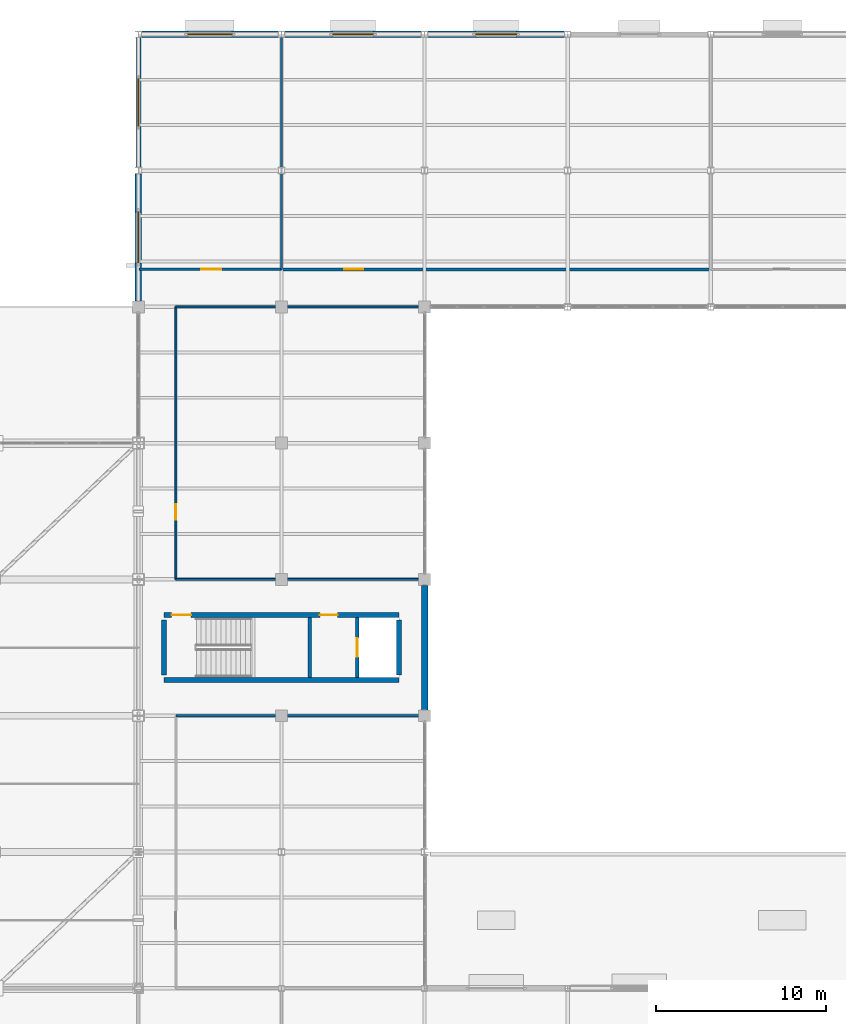
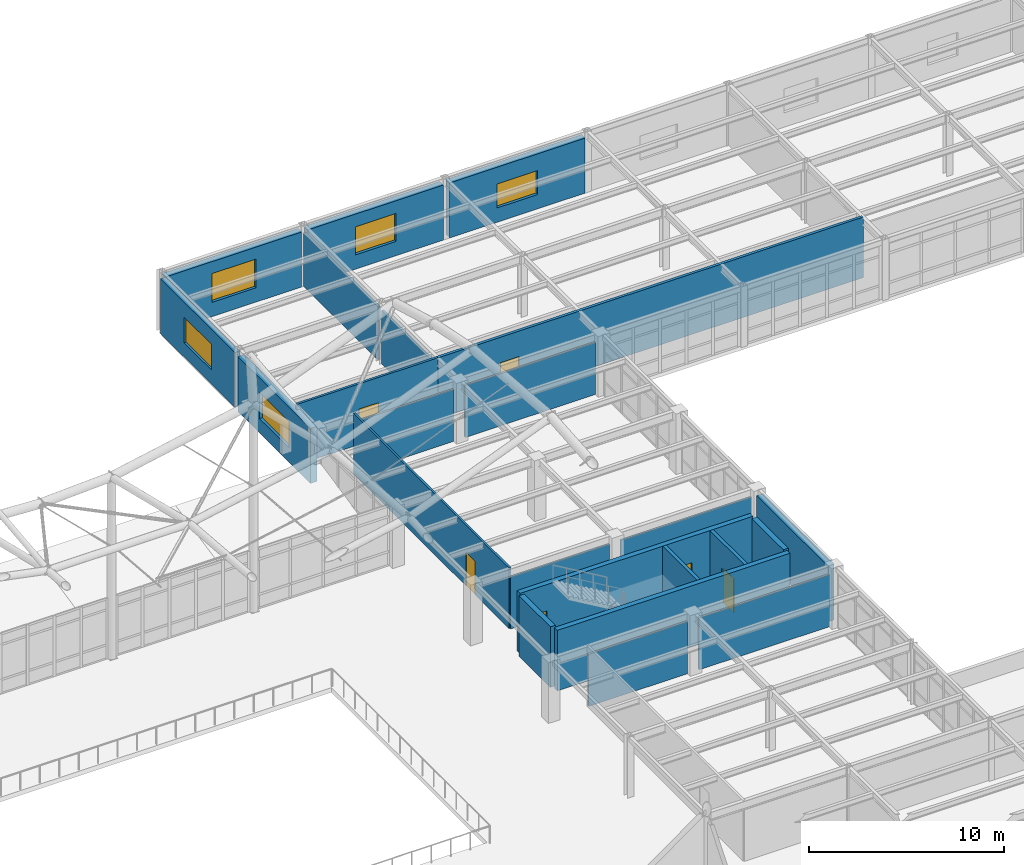
# One storey, part 76 of 138: 23 walls, 6 doors, 5 windows, 11 openings.
"""IFC4 building model written with IfcOpenShell, lengths in metres."""

import ifcopenshell
import ifcopenshell.guid

model = None  # the IFC model being written
_history = None  # IfcOwnerHistory: only IFC2X3 demands one
_inside = {}  # id of a spatial element -> (the spatial element, [elements in it])
_under = {}  # id of a project, library or spatial element -> (it, [spatial elements below it])
_declared = {}  # id of a project -> (the project, [libraries it declares])
_typed = {}  # id of a type object -> (the type object, [elements of that type])
_made_of = {}  # id of a material, layer set ... -> (it, [elements and type objects made of it])


def new_model(schema):
    """Start an empty IFC model of exactly this schema.

    Asked for "IFC4X3", IfcOpenShell would pick the latest addendum, in which some entities
    have other attributes; the version numbers below select the first issue.
    IFC2X3 requires an IfcOwnerHistory on every rooted entity: one is made here for all.
    """
    global model, _history
    if schema == "IFC4X3":
        model = ifcopenshell.file(schema_version=(4, 3, 0, 0))
    else:
        model = ifcopenshell.file(schema=schema)
    _inside.clear()
    _under.clear()
    _declared.clear()
    _typed.clear()
    _made_of.clear()
    _history = None
    if model.schema == "IFC2X3":
        org = make("IfcOrganization", Name="unknown")
        user = make(
            "IfcPersonAndOrganization",
            ThePerson=make("IfcPerson", FamilyName="unknown"),
            TheOrganization=org,
        )
        app = make(
            "IfcApplication",
            ApplicationDeveloper=org,
            Version="unknown",
            ApplicationFullName="unknown",
            ApplicationIdentifier="unknown",
        )
        _history = make(
            "IfcOwnerHistory",
            OwningUser=user,
            OwningApplication=app,
            ChangeAction="ADDED",
            CreationDate=0,
        )
    return model


def make(cls, **values):
    """One entity of the class cls with the attributes given. An attribute that is None is left unset."""
    return model.create_entity(
        cls, **{name: value for name, value in values.items() if value is not None}
    )


def rooted(cls, **values):
    """An entity with a GlobalId (a new one), such as an element, a storey or a relation."""
    return make(cls, GlobalId=ifcopenshell.guid.new(), OwnerHistory=_history, **values)


def si_unit(unit_type, name, prefix=None):
    """IfcSIUnit, for example si_unit("LENGTHUNIT", "METRE", prefix="MILLI")."""
    return make("IfcSIUnit", UnitType=unit_type, Prefix=prefix, Name=name)


def assignment(units):
    """IfcUnitAssignment: the units of a project."""
    return None if units is None else make("IfcUnitAssignment", Units=units)


def point(xyz):
    """IfcCartesianPoint."""
    return None if xyz is None else make("IfcCartesianPoint", Coordinates=xyz)


def direction(xyz):
    """IfcDirection."""
    return None if xyz is None else make("IfcDirection", DirectionRatios=xyz)


def frame(location, z_axis=None, x_axis=None):
    """IfcAxis2Placement3D, a coordinate frame: its origin and axes. An axis left out is left unset."""
    return make(
        "IfcAxis2Placement3D",
        Location=point(location),
        Axis=direction(z_axis),
        RefDirection=direction(x_axis),
    )


def frame_2d(location, x_axis=None):
    """IfcAxis2Placement2D, a coordinate frame in the plane: its origin and x axis."""
    return make(
        "IfcAxis2Placement2D", Location=point(location), RefDirection=direction(x_axis)
    )


def origin():
    """The frame at (0, 0, 0) with its axes left unset."""
    return frame((0.0, 0.0, 0.0))


def place(relative_to, where):
    """IfcLocalPlacement: puts the frame where relative to a parent placement (None: the world)."""
    return make(
        "IfcLocalPlacement", PlacementRelTo=relative_to, RelativePlacement=where
    )


def context(
    kind, dimensions, precision=None, world=None, true_north=None, identifier=None
):
    """IfcGeometricRepresentationContext, for example the 3D "Model" context."""
    return make(
        "IfcGeometricRepresentationContext",
        ContextIdentifier=identifier,
        ContextType=kind,
        CoordinateSpaceDimension=dimensions,
        Precision=precision,
        WorldCoordinateSystem=world,
        TrueNorth=true_north,
    )


def subcontext(parent, identifier, kind, view, scale=None):
    """IfcGeometricRepresentationSubContext, for example "Body" below "Model"."""
    return make(
        "IfcGeometricRepresentationSubContext",
        ContextIdentifier=identifier,
        ContextType=kind,
        ParentContext=parent,
        TargetScale=scale,
        TargetView=view,
    )


def project(units=None, contexts=None):
    """IfcProject with its units and contexts."""
    return rooted(
        "IfcProject",
        Name="project",
        RepresentationContexts=contexts,
        UnitsInContext=assignment(units),
    )


def spatial(cls, under=None, at=None, **own):
    """A site, building, storey or space (cls), placed at a placement, below another one or the project."""
    s = rooted(cls, ObjectPlacement=at, **own)
    if under is not None:
        _under.setdefault(under.id(), (under, []))[1].append(s)
    return s


def profile(cls, at=None, kind="AREA", **sizes):
    """A parametric profile (cls). Its sizes go by their IFC names, for example OverallWidth=200.0."""
    return make(cls, ProfileType=kind, Position=at, **sizes)


def rectangle(**sizes):
    """IfcRectangleProfileDef."""
    return profile("IfcRectangleProfileDef", **sizes)


def extrude(swept, where, along, depth):
    """IfcExtrudedAreaSolid: the profile swept, set in the frame where, extruded along a direction by depth."""
    return make(
        "IfcExtrudedAreaSolid",
        SweptArea=swept,
        Position=where,
        ExtrudedDirection=direction(along),
        Depth=depth,
    )


def shape(context_of_items, identifier, shape_type, items):
    """IfcShapeRepresentation: the items that make up one representation, for example the "Body"."""
    return make(
        "IfcShapeRepresentation",
        ContextOfItems=context_of_items,
        RepresentationIdentifier=identifier,
        RepresentationType=shape_type,
        Items=items,
    )


def material(Name=None, Category=None):
    """IfcMaterial."""
    return make("IfcMaterial", Name=Name, Category=Category)


def layer(
    of_material, thickness, ventilated=None, Name=None, Category=None, Priority=None
):
    """IfcMaterialLayer: one layer of a wall or slab, of a material (None: an air gap)."""
    return make(
        "IfcMaterialLayer",
        Material=of_material,
        LayerThickness=thickness,
        IsVentilated=ventilated,
        Name=Name,
        Category=Category,
        Priority=Priority,
    )


def layer_set(layers, Name=None):
    """IfcMaterialLayerSet."""
    return make("IfcMaterialLayerSet", MaterialLayers=layers, LayerSetName=Name)


def made_of(thing, what):
    """Note that an element or type object is made of a material, layer set ...; save() writes the relation."""
    if what is not None:
        _made_of.setdefault(what.id(), (what, []))[1].append(thing)
    return thing


def type_object(cls, material=None, **own):
    """A type object (cls), such as IfcWallType, which elements share."""
    return made_of(rooted(cls, **own), material)


def element(
    cls,
    number,
    at=None,
    inside=None,
    cuts=None,
    type_object=None,
    material=None,
    context=None,
    identifier="Body",
    shape_type=None,
    held_by="IfcProductDefinitionShape",
    body=None,
    shapes=None,
    **own,
):
    """One element of the class cls, such as IfcWall. Its Tag is "e" and its number.

    at: its placement. inside: the storey or other place that contains it. cuts: it is an
    opening in that element (IfcRelVoidsElement). A single representation is given by context,
    identifier, shape_type and body (its items); several are given by shapes. held_by: the class
    of the entity that holds the representations. save() writes the other relations.
    """
    e = rooted(cls, Tag="e%d" % number, ObjectPlacement=at, **own)
    if body is not None:
        shapes = [shape(context, identifier, shape_type, body)]
    if shapes is not None:
        e.Representation = make(held_by, Representations=shapes)
    if inside is not None:
        _inside.setdefault(inside.id(), (inside, []))[1].append(e)
    if cuts is not None:
        rooted(
            "IfcRelVoidsElement", RelatingBuildingElement=cuts, RelatedOpeningElement=e
        )
    if type_object is not None:
        _typed.setdefault(type_object.id(), (type_object, []))[1].append(e)
    return made_of(e, material)


def fill(opening, filler):
    """IfcRelFillsElement: the door or window that sits in an opening."""
    return rooted(
        "IfcRelFillsElement",
        RelatingOpeningElement=opening,
        RelatedBuildingElement=filler,
    )


def aggregate(whole, parts):
    """IfcRelAggregates: a whole, such as a stair, and the parts it consists of."""
    return rooted("IfcRelAggregates", RelatingObject=whole, RelatedObjects=parts)


def save(model, path):
    """Write the relations noted so far, then the file.

    IfcRelAggregates (storeys below a building ...), IfcRelContainedInSpatialStructure (elements
    in a storey), IfcRelDefinesByType, IfcRelAssociatesMaterial and IfcRelDeclares: one each for
    every whole, place, type object, material and project.
    """
    for whole, parts in _under.values():
        aggregate(whole, parts)
    for where, things in _inside.values():
        rooted(
            "IfcRelContainedInSpatialStructure",
            RelatedElements=things,
            RelatingStructure=where,
        )
    for kind, things in _typed.values():
        rooted("IfcRelDefinesByType", RelatedObjects=things, RelatingType=kind)
    for what, things in _made_of.values():
        rooted("IfcRelAssociatesMaterial", RelatedObjects=things, RelatingMaterial=what)
    for by, libraries in _declared.values():
        rooted("IfcRelDeclares", RelatingContext=by, RelatedDefinitions=libraries)
    model.write(path)


model = new_model("IFC4")

# Units and contexts
model_context = context("Model", 3, precision=1e-05, world=origin(), true_north=direction((0.0, 1.0)))
body_context = subcontext(model_context, "Body", "Model", "MODEL_VIEW")
ifc_project = project(units=[si_unit("LENGTHUNIT", "METRE"), si_unit("AREAUNIT", "SQUARE_METRE"), si_unit("VOLUMEUNIT", "CUBIC_METRE"), si_unit("PLANEANGLEUNIT", "RADIAN"), si_unit("MASSUNIT", "GRAM", prefix="KILO")], contexts=[model_context])

# Site, building, storey
site_placement = place(None, origin())
site = spatial("IfcSite", under=ifc_project, at=site_placement, CompositionType="ELEMENT")
building_placement = place(site_placement, origin())
building = spatial("IfcBuilding", under=site, at=building_placement, Name="Kranzveld Transit Interchange", CompositionType="ELEMENT")
storey_placement = place(building_placement, frame((0.0, 0.0, 5.43994140625)))
storey = spatial("IfcBuildingStorey", under=building, at=storey_placement, Name="L01", CompositionType="ELEMENT", Elevation=5.43994140625)

# Wall, opening, door
ifc_material_1 = material(Name="Clay masonry unit wall, 20 MPa", Category="masonry")
ifc_layer_1 = layer(ifc_material_1, 0.1650390625)
ifc_layer_set_1 = layer_set([ifc_layer_1], Name="Clay masonry unit wall, 20 MPa")
wall_type_1 = type_object("IfcWallType", Name="Acoustic Double-Stud Partition 165", PredefinedType="PARTITIONING", material=ifc_layer_set_1)
wall_1_placement = place(storey_placement, frame((109.199951171875, 98.199951171875, 0.0), z_axis=(0.0, 0.0, 1.0), x_axis=(1.0, 0.0, 0.0)))
wall_1 = element("IfcWall", 1, at=wall_1_placement, inside=storey, type_object=wall_type_1, Name="L01 Partition IW-L01-L01V4N-FRT-121-0", PredefinedType="PARTITIONING", context=body_context, shape_type="SweptSolid", body=[
    extrude(rectangle(XDim=25.199951171875, YDim=0.1650390625, at=frame_2d((12.60009765625, 0.0))), origin(), (0.0, 0.0, 1.0), 3.800048828125),
])
opening_1_placement = place(wall_1_placement, frame((3.699951171875, 0.0, 0.0), z_axis=(0.0, 0.0, 1.0), x_axis=(1.0, 0.0, 0.0)))
opening_1 = element("IfcOpeningElement", 2, at=opening_1_placement, cuts=wall_1, Name="Opening D-121", PredefinedType="OPENING", context=body_context, shape_type="SweptSolid", body=[
    extrude(rectangle(XDim=1.10009765625, YDim=2.199951171875, at=frame_2d((0.550048828125, 1.10009765625))), frame((0.0, 0.092529296875, 0.0), z_axis=(0.0, -1.0, 0.0), x_axis=(1.0, 0.0, 0.0)), (0.0, 0.0, 1.0), 0.18505859375),
])
ifc_material_2 = material(Name="Bronze-anodised thermally broken aluminium", Category="aluminium")
door_type_1 = type_object("IfcDoorType", Name="Acoustic Seminar Door 1100x2200", OperationType="NOTDEFINED", PredefinedType="DOOR", material=ifc_material_2)
door_1_placement = place(opening_1_placement, origin())
door_1 = element("IfcDoor", 3, at=door_1_placement, inside=storey, type_object=door_type_1, Name="L01 Interior Door D-121", OperationType="SINGLE_SWING_RIGHT", OverallHeight=2.199951171875, OverallWidth=1.10009765625, PredefinedType="DOOR", context=body_context, shape_type="SweptSolid", body=[
    extrude(rectangle(XDim=1.10009765625, YDim=2.199951171875, at=frame_2d((0.550048828125, 1.10009765625))), frame((0.0, 0.02490234375, 0.0), z_axis=(0.0, -1.0, 0.0), x_axis=(1.0, 0.0, 0.0)), (0.0, 0.0, 1.0), 0.050048828125),
])
fill(opening_1, door_1)

ifc_material_3 = material(Name="Clay masonry unit wall, 20 MPa", Category="masonry")
ifc_layer_2 = layer(ifc_material_3, 0.139892578125)
ifc_layer_set_2 = layer_set([ifc_layer_2], Name="Clay masonry unit wall, 20 MPa")
wall_type_2 = type_object("IfcWallType", Name="Acoustic Stud Partition 140", PredefinedType="PARTITIONING", material=ifc_layer_set_2)
wall_2_placement = place(storey_placement, frame((100.840087890625, 98.199951171875, 0.0), z_axis=(0.0, 0.0, 1.0), x_axis=(1.0, 0.0, 0.0)))
wall_2 = element("IfcWall", 4, at=wall_2_placement, inside=storey, type_object=wall_type_2, Name="L01 Partition IW-L01-L01V4N-FRT-120-0", PredefinedType="PARTITIONING", context=body_context, shape_type="SweptSolid", body=[
    extrude(rectangle(XDim=8.35986328125, YDim=0.139892578125, at=frame_2d((4.179931640625, 0.0))), origin(), (0.0, 0.0, 1.0), 3.800048828125),
])
opening_2_placement = place(wall_2_placement, frame((3.659912109375, 0.0, 0.0), z_axis=(0.0, 0.0, 1.0), x_axis=(1.0, 0.0, 0.0)))
opening_2 = element("IfcOpeningElement", 5, at=opening_2_placement, cuts=wall_2, Name="Opening D-120", PredefinedType="OPENING", context=body_context, shape_type="SweptSolid", body=[
    extrude(rectangle(XDim=1.179931640625, YDim=2.219970703125, at=frame_2d((0.58984375, 1.10986328125))), frame((0.0, 0.079833984375, 0.0), z_axis=(0.0, -1.0, 0.0), x_axis=(1.0, 0.0, 0.0)), (0.0, 0.0, 1.0), 0.159912109375),
])
ifc_material_4 = material(Name="Bronze-anodised thermally broken aluminium", Category="aluminium")
door_type_2 = type_object("IfcDoorType", Name="Boardroom Acoustic Door 1180x2220", OperationType="NOTDEFINED", PredefinedType="DOOR", material=ifc_material_4)
door_2_placement = place(opening_2_placement, origin())
door_2 = element("IfcDoor", 6, at=door_2_placement, inside=storey, type_object=door_type_2, Name="L01 Interior Door D-120", OperationType="SINGLE_SWING_LEFT", OverallHeight=2.219970703125, OverallWidth=1.179931640625, PredefinedType="DOOR", context=body_context, shape_type="SweptSolid", body=[
    extrude(rectangle(XDim=1.179931640625, YDim=2.219970703125, at=frame_2d((0.58984375, 1.10986328125))), frame((0.0, 0.02490234375, 0.0), z_axis=(0.0, -1.0, 0.0), x_axis=(1.0, 0.0, 0.0)), (0.0, 0.0, 1.0), 0.050048828125),
])
fill(opening_2, door_2)

# Walls
wall_3_placement = place(storey_placement, frame((109.199951171875, 98.199951171875, 0.0), z_axis=(0.0, 0.0, 1.0), x_axis=(0.0, 1.0, 0.0)))
element("IfcWall", 7, at=wall_3_placement, inside=storey, type_object=wall_type_2, Name="L01 Partition IW-L01-L01V4N-E-120-0", PredefinedType="PARTITIONING", context=body_context, shape_type="SweptSolid", body=[
    extrude(rectangle(XDim=5.622802734375, YDim=0.139892578125, at=frame_2d((2.8115234375, 0.0))), origin(), (0.0, 0.0, 1.0), 3.336669921875),
])
wall_4_placement = place(storey_placement, frame((109.199951171875, 104.17724609375, 0.0), z_axis=(0.0, 0.0, 1.0), x_axis=(0.0, 1.0, 0.0)))
element("IfcWall", 8, at=wall_4_placement, inside=storey, type_object=wall_type_2, Name="L01 Partition IW-L01-L01V4N-E-120-1", PredefinedType="PARTITIONING", context=body_context, shape_type="SweptSolid", body=[
    extrude(rectangle(XDim=7.6455078125, YDim=0.139892578125, at=frame_2d((3.82275390625, 0.0))), origin(), (0.0, 0.0, 1.0), 3.336669921875),
])
ifc_material_5 = material(Name="Concrete C40/50", Category="concrete")
ifc_layer_3 = layer(ifc_material_5, 0.300048828125)
ifc_layer_set_3 = layer_set([ifc_layer_3], Name="Concrete C40/50")
wall_type_3 = type_object("IfcWallType", Name="Core Shear Wall RC 300 C40/50", PredefinedType="SHEAR", material=ifc_layer_set_3)
wall_5_placement = place(storey_placement, frame((102.300048828125, 74.090087890625, 0.0), z_axis=(0.0, 0.0, 1.0), x_axis=(1.0, 0.0, 0.0)))
element("IfcWall", 9, at=wall_5_placement, inside=storey, type_object=wall_type_3, Name="L01 Community Core C3 Shear Wall S", PredefinedType="SHEAR", context=body_context, shape_type="SweptSolid", body=[
    extrude(rectangle(XDim=13.800048828125, YDim=0.300048828125, at=frame_2d((6.89990234375, 0.0))), origin(), (0.0, 0.0, 1.0), 3.800048828125),
])

# Wall, openings, doors
wall_6_placement = place(storey_placement, frame((102.300048828125, 77.909912109375, 0.0), z_axis=(0.0, 0.0, 1.0), x_axis=(1.0, 0.0, 0.0)))
wall_6 = element("IfcWall", 10, at=wall_6_placement, inside=storey, type_object=wall_type_3, Name="L01 Community Core C3 Shear Wall N", PredefinedType="SHEAR", context=body_context, shape_type="SweptSolid", body=[
    extrude(rectangle(XDim=13.800048828125, YDim=0.300048828125, at=frame_2d((6.89990234375, 0.0))), origin(), (0.0, 0.0, 1.0), 3.800048828125),
])
opening_3_placement = place(wall_6_placement, frame((0.449951171875, 0.0, 0.0), z_axis=(0.0, 0.0, 1.0), x_axis=(1.0, 0.0, 0.0)))
opening_3 = element("IfcOpeningElement", 11, at=opening_3_placement, cuts=wall_6, Name="Opening D-ST-C3-L01", PredefinedType="OPENING", context=body_context, shape_type="SweptSolid", body=[
    extrude(rectangle(XDim=1.14990234375, YDim=2.14990234375, at=frame_2d((0.574951171875, 1.074951171875))), frame((0.0, 0.159912109375, 0.0), z_axis=(0.0, -1.0, 0.0), x_axis=(1.0, 0.0, 0.0)), (0.0, 0.0, 1.0), 0.320068359375),
])
opening_4_placement = place(wall_6_placement, frame((9.14990234375, 0.0, 0.0), z_axis=(0.0, 0.0, 1.0), x_axis=(1.0, 0.0, 0.0)))
opening_4 = element("IfcOpeningElement", 12, at=opening_4_placement, cuts=wall_6, Name="Opening D-LB-C3-L01", PredefinedType="OPENING", context=body_context, shape_type="SweptSolid", body=[
    extrude(rectangle(XDim=1.050048828125, YDim=2.14990234375, at=frame_2d((0.52490234375, 1.074951171875))), frame((0.0, 0.159912109375, 0.0), z_axis=(0.0, -1.0, 0.0), x_axis=(1.0, 0.0, 0.0)), (0.0, 0.0, 1.0), 0.320068359375),
])
ifc_material_6 = material(Name="Steel S355JR", Category="steel")
door_type_3 = type_object("IfcDoorType", Name="Lift Lobby Fire Door 1050x2150 FD120S", OperationType="NOTDEFINED", PredefinedType="DOOR", material=ifc_material_6)
door_3_placement = place(opening_4_placement, origin())
door_3 = element("IfcDoor", 13, at=door_3_placement, inside=storey, type_object=door_type_3, Name="L01 Community Core C3 Lift Protected Lobby Door", OperationType="SINGLE_SWING_RIGHT", OverallHeight=2.14990234375, OverallWidth=1.050048828125, PredefinedType="DOOR", context=body_context, shape_type="SweptSolid", body=[
    extrude(rectangle(XDim=1.050048828125, YDim=2.14990234375, at=frame_2d((0.52490234375, 1.074951171875))), frame((0.0, 0.02490234375, 0.0), z_axis=(0.0, -1.0, 0.0), x_axis=(1.0, 0.0, 0.0)), (0.0, 0.0, 1.0), 0.050048828125),
])
fill(opening_4, door_3)
ifc_material_7 = material(Name="Steel S355JR", Category="steel")
door_type_4 = type_object("IfcDoorType", Name="Stair Core Fire Door 1150x2150 FD120S", OperationType="NOTDEFINED", PredefinedType="DOOR", material=ifc_material_7)
door_4_placement = place(opening_3_placement, origin())
door_4 = element("IfcDoor", 14, at=door_4_placement, inside=storey, type_object=door_type_4, Name="L01 ST-V4A Protected Stair Door", OperationType="SINGLE_SWING_RIGHT", OverallHeight=2.14990234375, OverallWidth=1.14990234375, PredefinedType="DOOR", context=body_context, shape_type="SweptSolid", body=[
    extrude(rectangle(XDim=1.14990234375, YDim=2.14990234375, at=frame_2d((0.574951171875, 1.074951171875))), frame((0.0, 0.02490234375, 0.0), z_axis=(0.0, -1.0, 0.0), x_axis=(1.0, 0.0, 0.0)), (0.0, 0.0, 1.0), 0.050048828125),
])
fill(opening_3, door_4)

# Walls
for number, where, z_axis, x_axis, name in (
    (15, (102.300048828125, 74.389892578125, 0.0), (0.0, 0.0, 1.0), (0.0, 1.0, 0.0), "L01 Community Core C3 Shear Wall W"),
    (16, (116.10009765625, 74.389892578125, 0.0), (0.0, 0.0, 1.0), (0.0, 1.0, 0.0), "L01 Community Core C3 Shear Wall E"),
):
    element("IfcWall", number, at=place(storey_placement, frame(where, z_axis=z_axis, x_axis=x_axis)), inside=storey, type_object=wall_type_3, Name=name, PredefinedType="SHEAR", context=body_context, shape_type="SweptSolid", body=[
        extrude(rectangle(XDim=3.22021484375, YDim=0.300048828125, at=frame_2d((1.610107421875, 0.0))), origin(), (0.0, 0.0, 1.0), 3.800048828125),
    ])

# Wall, opening, window
ifc_material_8 = material(Name="Pretoria red-purple clinker clay face brick, 35 MPa", Category="masonry")
ifc_layer_4 = layer(ifc_material_8, 0.3798828125)
ifc_layer_set_4 = layer_set([ifc_layer_4], Name="Pretoria red-purple clinker clay face brick, 35 MPa")
wall_type_4 = type_object("IfcWallType", Name="Exterior Cavity Wall Red Clinker 380", PredefinedType="SOLIDWALL", material=ifc_layer_set_4)
wall_7_placement = place(storey_placement, frame((100.800048828125, 96.35009765625, 0.0), z_axis=(0.0, 0.0, 1.0), x_axis=(0.0, 1.0, 0.0)))
wall_7 = element("IfcWall", 17, at=wall_7_placement, inside=storey, type_object=wall_type_4, Name="L01 Clinker Facade Wall 13/N-13/P", PredefinedType="SOLIDWALL", context=body_context, shape_type="SweptSolid", body=[
    extrude(rectangle(XDim=7.462646484375, YDim=0.3798828125, at=frame_2d((3.7314453125, 0.0))), origin(), (0.0, 0.0, 1.0), 3.442138671875),
])
opening_5_placement = place(wall_7_placement, frame((2.2314453125, 0.0, 0.89990234375), z_axis=(0.0, 0.0, 1.0), x_axis=(1.0, 0.0, 0.0)))
opening_5 = element("IfcOpeningElement", 18, at=opening_5_placement, cuts=wall_7, Name="Opening W-04", PredefinedType="OPENING", context=body_context, shape_type="SweptSolid", body=[
    extrude(rectangle(XDim=3.0, YDim=1.64990234375, at=frame_2d((1.5, 0.824951171875))), frame((0.0, 0.199951171875, 0.0), z_axis=(0.0, -1.0, 0.0), x_axis=(1.0, 0.0, 0.0)), (0.0, 0.0, 1.0), 0.39990234375),
])
ifc_material_9 = material(Name="Solar-control double glazing", Category="glass")
window_type_1 = type_object("IfcWindowType", Name="Window Ribbon Double 3000x1650", PartitioningType="DOUBLE_PANEL_VERTICAL", PredefinedType="WINDOW", material=ifc_material_9)
window_1_placement = place(opening_5_placement, origin())
window_1 = element("IfcWindow", 19, at=window_1_placement, inside=storey, type_object=window_type_1, Name="L01 Facade Window 13/N", OverallHeight=1.64990234375, OverallWidth=3.0, PartitioningType="DOUBLE_PANEL_VERTICAL", PredefinedType="WINDOW", context=body_context, shape_type="SweptSolid", body=[
    extrude(rectangle(XDim=3.0, YDim=1.64990234375, at=frame_2d((1.5, 0.824951171875))), frame((0.0, 0.030029296875, 0.0), z_axis=(0.0, -1.0, 0.0), x_axis=(1.0, 0.0, 0.0)), (0.0, 0.0, 1.0), 0.06005859375),
])
fill(opening_5, window_1)

wall_8_placement = place(storey_placement, frame((100.9873046875, 112.0, 0.0), z_axis=(0.0, 0.0, 1.0), x_axis=(1.0, 0.0, 0.0)))
wall_8 = element("IfcWall", 20, at=wall_8_placement, inside=storey, type_object=wall_type_4, Name="L01 Clinker Facade Wall 13/Q-14/Q", PredefinedType="SOLIDWALL", context=body_context, shape_type="SweptSolid", body=[
    extrude(rectangle(XDim=8.025390625, YDim=0.3798828125, at=frame_2d((4.0126953125, 0.0))), origin(), (0.0, 0.0, 1.0), 3.449951171875),
])
opening_6_placement = place(wall_8_placement, frame((2.712646484375, 0.0, 0.89990234375), z_axis=(0.0, 0.0, 1.0), x_axis=(1.0, 0.0, 0.0)))
opening_6 = element("IfcOpeningElement", 21, at=opening_6_placement, cuts=wall_8, Name="Opening W-06", PredefinedType="OPENING", context=body_context, shape_type="SweptSolid", body=[
    extrude(rectangle(XDim=2.60009765625, YDim=1.800048828125, at=frame_2d((1.300048828125, 0.89990234375))), frame((0.0, 0.199951171875, 0.0), z_axis=(0.0, -1.0, 0.0), x_axis=(1.0, 0.0, 0.0)), (0.0, 0.0, 1.0), 0.39990234375),
])
ifc_material_10 = material(Name="Solar-control double glazing", Category="glass")
window_type_2 = type_object("IfcWindowType", Name="Window Civic Double 2600x1800", PartitioningType="DOUBLE_PANEL_VERTICAL", PredefinedType="WINDOW", material=ifc_material_10)
window_2_placement = place(opening_6_placement, origin())
window_2 = element("IfcWindow", 22, at=window_2_placement, inside=storey, type_object=window_type_2, Name="L01 Facade Window 13/Q", OverallHeight=1.800048828125, OverallWidth=2.60009765625, PartitioningType="DOUBLE_PANEL_VERTICAL", PredefinedType="WINDOW", context=body_context, shape_type="SweptSolid", body=[
    extrude(rectangle(XDim=2.60009765625, YDim=1.800048828125, at=frame_2d((1.300048828125, 0.89990234375))), frame((0.0, 0.030029296875, 0.0), z_axis=(0.0, -1.0, 0.0), x_axis=(1.0, 0.0, 0.0)), (0.0, 0.0, 1.0), 0.06005859375),
])
fill(opening_6, window_2)

wall_9_placement = place(storey_placement, frame((109.38720703125, 112.0, 0.0), z_axis=(0.0, 0.0, 1.0), x_axis=(1.0, 0.0, 0.0)))
wall_9 = element("IfcWall", 23, at=wall_9_placement, inside=storey, type_object=wall_type_4, Name="L01 Clinker Facade Wall 14/Q-15/Q", PredefinedType="SOLIDWALL", context=body_context, shape_type="SweptSolid", body=[
    extrude(rectangle(XDim=8.025390625, YDim=0.3798828125, at=frame_2d((4.0126953125, 0.0))), origin(), (0.0, 0.0, 1.0), 3.449951171875),
])
opening_7_placement = place(wall_9_placement, frame((2.812744140625, 0.0, 0.89990234375), z_axis=(0.0, 0.0, 1.0), x_axis=(1.0, 0.0, 0.0)))
opening_7 = element("IfcOpeningElement", 24, at=opening_7_placement, cuts=wall_9, Name="Opening W-07", PredefinedType="OPENING", context=body_context, shape_type="SweptSolid", body=[
    extrude(rectangle(XDim=2.39990234375, YDim=1.75, at=frame_2d((1.199951171875, 0.875))), frame((0.0, 0.199951171875, 0.0), z_axis=(0.0, -1.0, 0.0), x_axis=(1.0, 0.0, 0.0)), (0.0, 0.0, 1.0), 0.39990234375),
])
ifc_material_11 = material(Name="Solar-control double glazing", Category="glass")
window_type_3 = type_object("IfcWindowType", Name="Window Civic Double 2400x1750", PartitioningType="DOUBLE_PANEL_VERTICAL", PredefinedType="WINDOW", material=ifc_material_11)
window_3_placement = place(opening_7_placement, origin())
window_3 = element("IfcWindow", 25, at=window_3_placement, inside=storey, type_object=window_type_3, Name="L01 Facade Window 14/Q", OverallHeight=1.75, OverallWidth=2.39990234375, PartitioningType="DOUBLE_PANEL_VERTICAL", PredefinedType="WINDOW", context=body_context, shape_type="SweptSolid", body=[
    extrude(rectangle(XDim=2.39990234375, YDim=1.75, at=frame_2d((1.199951171875, 0.875))), frame((0.0, 0.030029296875, 0.0), z_axis=(0.0, -1.0, 0.0), x_axis=(1.0, 0.0, 0.0)), (0.0, 0.0, 1.0), 0.06005859375),
])
fill(opening_7, window_3)

wall_10_placement = place(storey_placement, frame((117.787353515625, 112.0, 0.0), z_axis=(0.0, 0.0, 1.0), x_axis=(1.0, 0.0, 0.0)))
wall_10 = element("IfcWall", 26, at=wall_10_placement, inside=storey, type_object=wall_type_4, Name="L01 Clinker Facade Wall 15/Q-16/Q", PredefinedType="SOLIDWALL", context=body_context, shape_type="SweptSolid", body=[
    extrude(rectangle(XDim=8.025390625, YDim=0.3798828125, at=frame_2d((4.0126953125, 0.0))), origin(), (0.0, 0.0, 1.0), 3.449951171875),
])
opening_8_placement = place(wall_10_placement, frame((2.812744140625, 0.0, 0.89990234375), z_axis=(0.0, 0.0, 1.0), x_axis=(1.0, 0.0, 0.0)))
opening_8 = element("IfcOpeningElement", 27, at=opening_8_placement, cuts=wall_10, Name="Opening W-08", PredefinedType="OPENING", context=body_context, shape_type="SweptSolid", body=[
    extrude(rectangle(XDim=2.39990234375, YDim=1.5, at=frame_2d((1.199951171875, 0.75))), frame((0.0, 0.199951171875, 0.0), z_axis=(0.0, -1.0, 0.0), x_axis=(1.0, 0.0, 0.0)), (0.0, 0.0, 1.0), 0.39990234375),
])
ifc_material_12 = material(Name="Solar-control double glazing", Category="glass")
window_type_4 = type_object("IfcWindowType", Name="Window Civic Double 2400x1500", PartitioningType="DOUBLE_PANEL_VERTICAL", PredefinedType="WINDOW", material=ifc_material_12)
window_4_placement = place(opening_8_placement, origin())
window_4 = element("IfcWindow", 28, at=window_4_placement, inside=storey, type_object=window_type_4, Name="L01 Facade Window 15/Q", OverallHeight=1.5, OverallWidth=2.39990234375, PartitioningType="DOUBLE_PANEL_VERTICAL", PredefinedType="WINDOW", context=body_context, shape_type="SweptSolid", body=[
    extrude(rectangle(XDim=2.39990234375, YDim=1.5, at=frame_2d((1.199951171875, 0.75))), frame((0.0, 0.030029296875, 0.0), z_axis=(0.0, -1.0, 0.0), x_axis=(1.0, 0.0, 0.0)), (0.0, 0.0, 1.0), 0.06005859375),
])
fill(opening_8, window_4)

# Wall
wall_11_placement = place(storey_placement, frame((117.60009765625, 72.35009765625, 0.0), z_axis=(0.0, 0.0, 1.0), x_axis=(0.0, 1.0, 0.0)))
element("IfcWall", 29, at=wall_11_placement, inside=storey, type_object=wall_type_4, Name="L01 Clinker Facade Wall 15/K-15/L", PredefinedType="SOLIDWALL", context=body_context, shape_type="SweptSolid", body=[
    extrude(rectangle(XDim=7.2998046875, YDim=0.3798828125, at=frame_2d((3.64990234375, 0.0))), origin(), (0.0, 0.0, 1.0), 3.5),
])

# Wall, opening, window
ifc_material_13 = material(Name="Ochre Pretoria sandstone cladding, 45 MPa", Category="masonry")
ifc_layer_5 = layer(ifc_material_13, 0.300048828125)
ifc_layer_set_5 = layer_set([ifc_layer_5], Name="Ochre Pretoria sandstone cladding, 45 MPa")
wall_type_5 = type_object("IfcWallType", Name="Exterior Sandstone Spandrel Wall 300", PredefinedType="SOLIDWALL", material=ifc_layer_set_5)
wall_12_placement = place(storey_placement, frame((100.800048828125, 104.187255859375, 0.0), z_axis=(0.0, 0.0, 1.0), x_axis=(0.0, 1.0, 0.0)))
wall_12 = element("IfcWall", 30, at=wall_12_placement, inside=storey, type_object=wall_type_5, Name="L01 Clinker Facade Wall 13/P-13/Q", PredefinedType="SOLIDWALL", context=body_context, shape_type="SweptSolid", body=[
    extrude(rectangle(XDim=7.62548828125, YDim=0.300048828125, at=frame_2d((3.812744140625, 0.0))), origin(), (0.0, 0.0, 1.0), 3.442138671875),
])
opening_9_placement = place(wall_12_placement, frame((2.41259765625, 0.0, 0.89990234375), z_axis=(0.0, 0.0, 1.0), x_axis=(1.0, 0.0, 0.0)))
opening_9 = element("IfcOpeningElement", 31, at=opening_9_placement, cuts=wall_12, Name="Opening W-05", PredefinedType="OPENING", context=body_context, shape_type="SweptSolid", body=[
    extrude(rectangle(XDim=2.800048828125, YDim=1.60009765625, at=frame_2d((1.39990234375, 0.800048828125))), frame((0.0, 0.159912109375, 0.0), z_axis=(0.0, -1.0, 0.0), x_axis=(1.0, 0.0, 0.0)), (0.0, 0.0, 1.0), 0.320068359375),
])
ifc_material_14 = material(Name="Solar-control double glazing", Category="glass")
window_type_5 = type_object("IfcWindowType", Name="Window Ribbon Double 2800x1600", PartitioningType="DOUBLE_PANEL_VERTICAL", PredefinedType="WINDOW", material=ifc_material_14)
window_5_placement = place(opening_9_placement, origin())
window_5 = element("IfcWindow", 32, at=window_5_placement, inside=storey, type_object=window_type_5, Name="L01 Facade Window 13/P", OverallHeight=1.60009765625, OverallWidth=2.800048828125, PartitioningType="DOUBLE_PANEL_VERTICAL", PredefinedType="WINDOW", context=body_context, shape_type="SweptSolid", body=[
    extrude(rectangle(XDim=2.800048828125, YDim=1.60009765625, at=frame_2d((1.39990234375, 0.800048828125))), frame((0.0, 0.030029296875, 0.0), z_axis=(0.0, -1.0, 0.0), x_axis=(1.0, 0.0, 0.0)), (0.0, 0.0, 1.0), 0.06005859375),
])
fill(opening_9, window_5)

# Walls
ifc_material_15 = material(Name="Clay masonry unit wall, 20 MPa", Category="masonry")
ifc_layer_6 = layer(ifc_material_15, 0.125)
ifc_layer_set_6 = layer_set([ifc_layer_6], Name="Clay masonry unit wall, 20 MPa")
wall_type_6 = type_object("IfcWallType", Name="Internal Blockwork Partition 125", PredefinedType="PARTITIONING", material=ifc_layer_set_6)
wall_13_placement = place(storey_placement, frame((103.0, 72.0, 0.0), z_axis=(0.0, 0.0, 1.0), x_axis=(1.0, 0.0, 0.0)))
element("IfcWall", 33, at=wall_13_placement, inside=storey, type_object=wall_type_6, Name="L01 Partition IW-L01-L01V4W-N-141-0", PredefinedType="PARTITIONING", context=body_context, shape_type="SweptSolid", body=[
    extrude(rectangle(XDim=5.860107421875, YDim=0.125, at=frame_2d((2.93017578125, 0.0))), origin(), (0.0, 0.0, 1.0), 3.260498046875),
])
wall_14_placement = place(storey_placement, frame((109.5400390625, 72.0, 0.0), z_axis=(0.0, 0.0, 1.0), x_axis=(1.0, 0.0, 0.0)))
element("IfcWall", 34, at=wall_14_placement, inside=storey, type_object=wall_type_6, Name="L01 Partition IW-L01-L01V4W-N-141-1", PredefinedType="PARTITIONING", context=body_context, shape_type="SweptSolid", body=[
    extrude(rectangle(XDim=7.719970703125, YDim=0.125, at=frame_2d((3.85986328125, 0.0))), origin(), (0.0, 0.0, 1.0), 3.260498046875),
])

# Wall, opening, door
ifc_material_16 = material(Name="Clay masonry unit wall, 20 MPa", Category="masonry")
ifc_layer_7 = layer(ifc_material_16, 0.114990234375)
ifc_layer_set_7 = layer_set([ifc_layer_7], Name="Clay masonry unit wall, 20 MPa")
wall_type_7 = type_object("IfcWallType", Name="Internal Masonry Partition 115", PredefinedType="PARTITIONING", material=ifc_layer_set_7)
wall_15_placement = place(storey_placement, frame((103.0, 80.0, 0.0), z_axis=(0.0, 0.0, 1.0), x_axis=(0.0, 1.0, 0.0)))
wall_15 = element("IfcWall", 35, at=wall_15_placement, inside=storey, type_object=wall_type_7, Name="L01 Partition IW-L01-L01V4W-FRT-142-0", PredefinedType="PARTITIONING", context=body_context, shape_type="SweptSolid", body=[
    extrude(rectangle(XDim=16.0, YDim=0.114990234375, at=frame_2d((8.0, 0.0))), origin(), (0.0, 0.0, 1.0), 3.800048828125),
])
opening_10_placement = place(wall_15_placement, frame((4.419921875, 0.0, 0.0), z_axis=(0.0, 0.0, 1.0), x_axis=(-1.0, 0.0, 0.0)))
opening_10 = element("IfcOpeningElement", 36, at=opening_10_placement, cuts=wall_15, Name="Opening D-142", PredefinedType="OPENING", context=body_context, shape_type="SweptSolid", body=[
    extrude(rectangle(XDim=0.919921875, YDim=2.1201171875, at=frame_2d((0.4599609375, 1.06005859375))), frame((0.0, 0.0673828125, 0.0), z_axis=(0.0, -1.0, 0.0), x_axis=(1.0, 0.0, 0.0)), (0.0, 0.0, 1.0), 0.135009765625),
])
ifc_material_17 = material(Name="Bronze-anodised thermally broken aluminium", Category="aluminium")
door_type_5 = type_object("IfcDoorType", Name="Consulting Room Door 920x2120", OperationType="NOTDEFINED", PredefinedType="DOOR", material=ifc_material_17)
door_5_placement = place(opening_10_placement, origin())
door_5 = element("IfcDoor", 37, at=door_5_placement, inside=storey, type_object=door_type_5, Name="L01 Interior Door D-142", OperationType="SINGLE_SWING_RIGHT", OverallHeight=2.1201171875, OverallWidth=0.919921875, PredefinedType="DOOR", context=body_context, shape_type="SweptSolid", body=[
    extrude(rectangle(XDim=0.919921875, YDim=2.1201171875, at=frame_2d((0.4599609375, 1.06005859375))), frame((0.0, 0.02490234375, 0.0), z_axis=(0.0, -1.0, 0.0), x_axis=(1.0, 0.0, 0.0)), (0.0, 0.0, 1.0), 0.050048828125),
])
fill(opening_10, door_5)

# Walls
wall_16_placement = place(storey_placement, frame((103.0, 80.0, 0.0), z_axis=(0.0, 0.0, 1.0), x_axis=(1.0, 0.0, 0.0)))
element("IfcWall", 38, at=wall_16_placement, inside=storey, type_object=wall_type_7, Name="L01 Partition IW-L01-L01V4W-S-142-0", PredefinedType="PARTITIONING", context=body_context, shape_type="SweptSolid", body=[
    extrude(rectangle(XDim=5.860107421875, YDim=0.114990234375, at=frame_2d((2.93017578125, 0.0))), origin(), (0.0, 0.0, 1.0), 3.260498046875),
])
wall_17_placement = place(storey_placement, frame((109.5400390625, 80.0, 0.0), z_axis=(0.0, 0.0, 1.0), x_axis=(1.0, 0.0, 0.0)))
element("IfcWall", 39, at=wall_17_placement, inside=storey, type_object=wall_type_7, Name="L01 Partition IW-L01-L01V4W-S-142-1", PredefinedType="PARTITIONING", context=body_context, shape_type="SweptSolid", body=[
    extrude(rectangle(XDim=7.719970703125, YDim=0.114990234375, at=frame_2d((3.85986328125, 0.0))), origin(), (0.0, 0.0, 1.0), 3.260498046875),
])
wall_18_placement = place(storey_placement, frame((103.0, 96.0, 0.0), z_axis=(0.0, 0.0, 1.0), x_axis=(1.0, 0.0, 0.0)))
element("IfcWall", 40, at=wall_18_placement, inside=storey, type_object=wall_type_7, Name="L01 Partition IW-L01-L01V4W-N-142-0", PredefinedType="PARTITIONING", context=body_context, shape_type="SweptSolid", body=[
    extrude(rectangle(XDim=5.860107421875, YDim=0.114990234375, at=frame_2d((2.93017578125, 0.0))), origin(), (0.0, 0.0, 1.0), 3.260498046875),
])
wall_19_placement = place(storey_placement, frame((109.5400390625, 96.0, 0.0), z_axis=(0.0, 0.0, 1.0), x_axis=(1.0, 0.0, 0.0)))
element("IfcWall", 41, at=wall_19_placement, inside=storey, type_object=wall_type_7, Name="L01 Partition IW-L01-L01V4W-N-142-1", PredefinedType="PARTITIONING", context=body_context, shape_type="SweptSolid", body=[
    extrude(rectangle(XDim=7.719970703125, YDim=0.114990234375, at=frame_2d((3.85986328125, 0.0))), origin(), (0.0, 0.0, 1.0), 3.260498046875),
])
ifc_material_18 = material(Name="Concrete C40/50", Category="concrete")
ifc_layer_8 = layer(ifc_material_18, 0.199951171875)
ifc_layer_set_8 = layer_set([ifc_layer_8], Name="Concrete C40/50")
wall_type_8 = type_object("IfcWallType", Name="Lift Shaft Enclosure Wall RC 200 EI120", PredefinedType="SHEAR", material=ifc_layer_set_8)
wall_20_placement = place(storey_placement, frame((110.85009765625, 74.239990234375, 0.0), z_axis=(0.0, 0.0, 1.0), x_axis=(0.0, 1.0, 0.0)))
element("IfcWall", 42, at=wall_20_placement, inside=storey, type_object=wall_type_8, Name="L01 Community Core C3 Stair-Lobby Dividing Wall", PredefinedType="SHEAR", context=body_context, shape_type="SweptSolid", body=[
    extrude(rectangle(XDim=3.52001953125, YDim=0.199951171875, at=frame_2d((1.760009765625, 0.0))), origin(), (0.0, 0.0, 1.0), 3.800048828125),
])

# Wall, opening, door
wall_21_placement = place(storey_placement, frame((113.64990234375, 74.239990234375, 0.0), z_axis=(0.0, 0.0, 1.0), x_axis=(0.0, 1.0, 0.0)))
wall_21 = element("IfcWall", 43, at=wall_21_placement, inside=storey, type_object=wall_type_8, Name="L01 LF-V4A Shaft Front Wall", PredefinedType="SHEAR", context=body_context, shape_type="SweptSolid", body=[
    extrude(rectangle(XDim=3.52001953125, YDim=0.199951171875, at=frame_2d((1.760009765625, 0.0))), origin(), (0.0, 0.0, 1.0), 3.800048828125),
])
opening_11_placement = place(wall_21_placement, frame((1.2099609375, 0.0, 0.0), z_axis=(0.0, 0.0, 1.0), x_axis=(1.0, 0.0, 0.0)))
opening_11 = element("IfcOpeningElement", 44, at=opening_11_placement, cuts=wall_21, Name="Opening LD-LF-V4A-L01", PredefinedType="OPENING", context=body_context, shape_type="SweptSolid", body=[
    extrude(rectangle(XDim=1.10009765625, YDim=2.14990234375, at=frame_2d((0.550048828125, 1.074951171875))), frame((0.0, 0.10986328125, 0.0), z_axis=(0.0, -1.0, 0.0), x_axis=(1.0, 0.0, 0.0)), (0.0, 0.0, 1.0), 0.219970703125),
])
ifc_material_19 = material(Name="Steel S355JR", Category="steel")
door_type_6 = type_object("IfcDoorType", Name="Lift Landing Sliding Door 1100x2150 FD120S", OperationType="NOTDEFINED", PredefinedType="DOOR", material=ifc_material_19)
door_6_placement = place(opening_11_placement, origin())
door_6 = element("IfcDoor", 45, at=door_6_placement, inside=storey, type_object=door_type_6, Name="L01 LF-V4A Sliding Landing Door", OperationType="DOUBLE_DOOR_SLIDING", OverallHeight=2.14990234375, OverallWidth=1.10009765625, PredefinedType="DOOR", context=body_context, shape_type="SweptSolid", body=[
    extrude(rectangle(XDim=1.10009765625, YDim=2.14990234375, at=frame_2d((0.550048828125, 1.074951171875))), frame((0.0, 0.02490234375, 0.0), z_axis=(0.0, -1.0, 0.0), x_axis=(1.0, 0.0, 0.0)), (0.0, 0.0, 1.0), 0.050048828125),
])
fill(opening_11, door_6)

save(model, "model.ifc")
